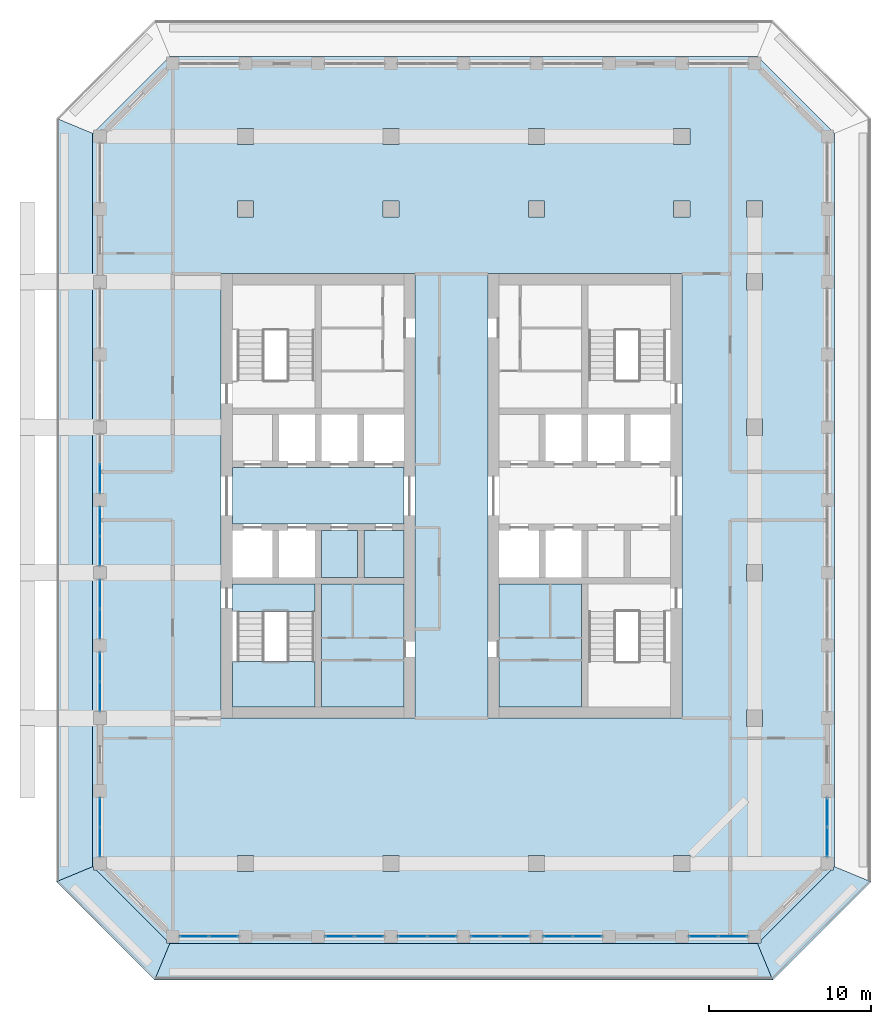
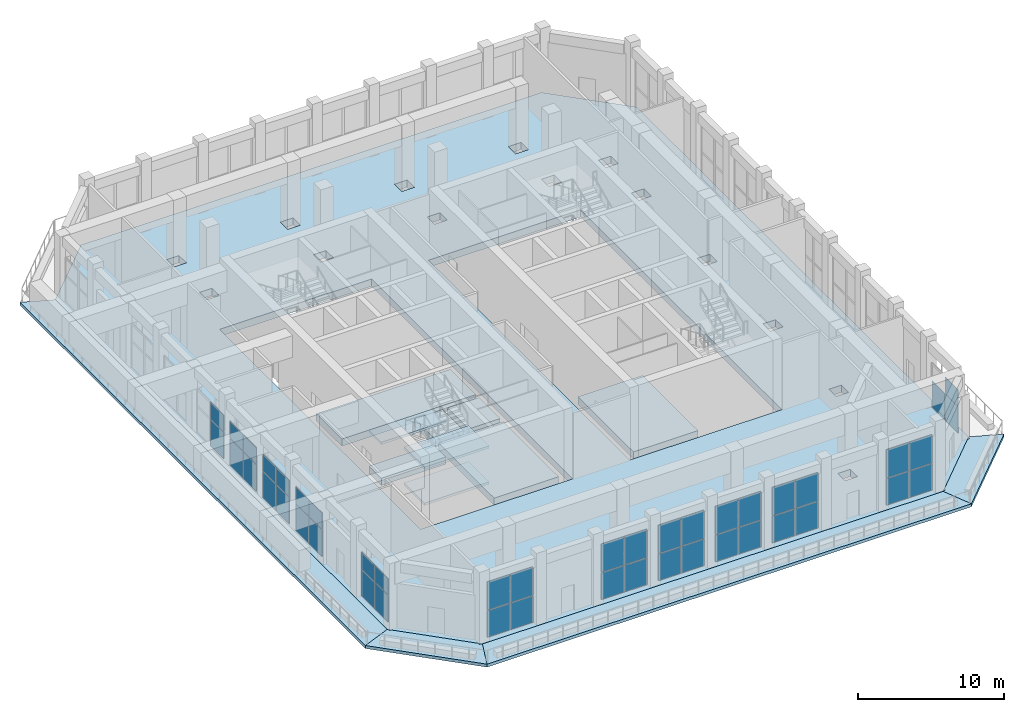
# One storey, part 9 of 25: 45 plates, 14 slabs, 13 elements without a shape of their own.
"""IFC4 building model written with IfcOpenShell, lengths in metres."""

from ifc_helpers import new_model, si_unit, direction, frame, origin, origin_2d, place, context, subcontext, project, spatial, polyline, rectangle, outline, extrude, material, layer, layer_set, type_object, element, aggregate, save


model = new_model("IFC4")

# Units and contexts
model_context = context("Model", 3, precision=1e-05, world=origin(), true_north=direction((0.0, 1.0)))
body_context = subcontext(model_context, "Body", "Model", "MODEL_VIEW")
ifc_project = project(units=[si_unit("LENGTHUNIT", "METRE"), si_unit("AREAUNIT", "SQUARE_METRE"), si_unit("VOLUMEUNIT", "CUBIC_METRE"), si_unit("PLANEANGLEUNIT", "RADIAN"), si_unit("MASSUNIT", "GRAM", prefix="KILO")], contexts=[model_context])

# Site, building, storey
site_placement = place(None, origin())
site = spatial("IfcSite", under=ifc_project, at=site_placement, CompositionType="ELEMENT")
building_placement = place(site_placement, origin())
building = spatial("IfcBuilding", under=site, at=building_placement, Name="Corbel Stack Research Tower", CompositionType="ELEMENT")
storey_placement = place(building_placement, frame((0.0, 0.0, 260.300048828125)))
storey = spatial("IfcBuildingStorey", under=building, at=storey_placement, Name="L59", CompositionType="ELEMENT", Elevation=260.300048828125)

# Curtain wall, plates
ifc_material_1 = material(Name="Aluminium frame, clear glass", Category="aluminium")
curtain_wall_type = type_object("IfcCurtainWallType", Name="Upper amenity floor curtain wall CW3", PredefinedType="NOTDEFINED", material=ifc_material_1)
curtain_wall_1_placement = place(storey_placement, origin())
curtain_wall_1 = element("IfcCurtainWall", 1, at=curtain_wall_1_placement, inside=storey, type_object=curtain_wall_type, Name="Curtain wall CW3 L59 S01", PredefinedType="NOTDEFINED")
ifc_material_2 = material(Name="Low-emissivity glass", Category="glass")
ifc_layer_1 = layer(ifc_material_2, 0.035888671875)
ifc_layer_set_1 = layer_set([ifc_layer_1], Name="Low-emissivity glass")
plate_type = type_object("IfcPlateType", Name="Low-emissivity glazing 36", PredefinedType="CURTAIN_PANEL", material=ifc_layer_set_1)
plate_1_placement = place(storey_placement, frame((-12.159912109375, -22.5, 0.06005859375), z_axis=(0.0, 0.0, 1.0), x_axis=(1.0, 0.0, 0.0)))
plate_1 = element("IfcPlate", 2, at=plate_1_placement, type_object=plate_type, Name="CW3 panel 1.1", PredefinedType="CURTAIN_PANEL", context=body_context, shape_type="SweptSolid", body=[
    extrude(rectangle(XDim=1.760009765625, YDim=0.035888671875, at=origin_2d()), origin(), (0.0, 0.0, 1.0), 2.2099609375),
])
plate_2_placement = place(storey_placement, frame((-12.159912109375, -22.5, 2.330078125), z_axis=(0.0, 0.0, 1.0), x_axis=(1.0, 0.0, 0.0)))
plate_2 = element("IfcPlate", 3, at=plate_2_placement, type_object=plate_type, Name="CW3 panel 1.2", PredefinedType="CURTAIN_PANEL", context=body_context, shape_type="SweptSolid", body=[
    extrude(rectangle(XDim=1.760009765625, YDim=0.035888671875, at=origin_2d()), origin(), (0.0, 0.0, 1.0), 2.360107421875),
])
plate_3_placement = place(storey_placement, frame((-10.340087890625, -22.5, 0.06005859375), z_axis=(0.0, 0.0, 1.0), x_axis=(1.0, 0.0, 0.0)))
plate_3 = element("IfcPlate", 4, at=plate_3_placement, type_object=plate_type, Name="CW3 panel 2.1", PredefinedType="CURTAIN_PANEL", context=body_context, shape_type="SweptSolid", body=[
    extrude(rectangle(XDim=1.760009765625, YDim=0.035888671875, at=origin_2d()), origin(), (0.0, 0.0, 1.0), 2.2099609375),
])
plate_4_placement = place(storey_placement, frame((-10.340087890625, -22.5, 2.330078125), z_axis=(0.0, 0.0, 1.0), x_axis=(1.0, 0.0, 0.0)))
plate_4 = element("IfcPlate", 5, at=plate_4_placement, type_object=plate_type, Name="CW3 panel 2.2", PredefinedType="CURTAIN_PANEL", context=body_context, shape_type="SweptSolid", body=[
    extrude(rectangle(XDim=1.760009765625, YDim=0.035888671875, at=origin_2d()), origin(), (0.0, 0.0, 1.0), 2.360107421875),
])
aggregate(curtain_wall_1, [plate_1, plate_2, plate_3, plate_4])

curtain_wall_2_placement = place(storey_placement, origin())
curtain_wall_2 = element("IfcCurtainWall", 6, at=curtain_wall_2_placement, inside=storey, type_object=curtain_wall_type, Name="Curtain wall CW3 L59 S03", PredefinedType="NOTDEFINED")
plate_5_placement = place(storey_placement, frame((-3.159912109375, -22.5, 0.06005859375), z_axis=(0.0, 0.0, 1.0), x_axis=(1.0, 0.0, 0.0)))
plate_5 = element("IfcPlate", 7, at=plate_5_placement, type_object=plate_type, Name="CW3 panel 1.1", PredefinedType="CURTAIN_PANEL", context=body_context, shape_type="SweptSolid", body=[
    extrude(rectangle(XDim=1.760009765625, YDim=0.035888671875, at=origin_2d()), origin(), (0.0, 0.0, 1.0), 2.2099609375),
])
plate_6_placement = place(storey_placement, frame((-3.159912109375, -22.5, 2.330078125), z_axis=(0.0, 0.0, 1.0), x_axis=(1.0, 0.0, 0.0)))
plate_6 = element("IfcPlate", 8, at=plate_6_placement, type_object=plate_type, Name="CW3 panel 1.2", PredefinedType="CURTAIN_PANEL", context=body_context, shape_type="SweptSolid", body=[
    extrude(rectangle(XDim=1.760009765625, YDim=0.035888671875, at=origin_2d()), origin(), (0.0, 0.0, 1.0), 2.360107421875),
])
plate_7_placement = place(storey_placement, frame((-1.340087890625, -22.5, 0.06005859375), z_axis=(0.0, 0.0, 1.0), x_axis=(1.0, 0.0, 0.0)))
plate_7 = element("IfcPlate", 9, at=plate_7_placement, type_object=plate_type, Name="CW3 panel 2.1", PredefinedType="CURTAIN_PANEL", context=body_context, shape_type="SweptSolid", body=[
    extrude(rectangle(XDim=1.760009765625, YDim=0.035888671875, at=origin_2d()), origin(), (0.0, 0.0, 1.0), 2.2099609375),
])
plate_8_placement = place(storey_placement, frame((-1.340087890625, -22.5, 2.330078125), z_axis=(0.0, 0.0, 1.0), x_axis=(1.0, 0.0, 0.0)))
plate_8 = element("IfcPlate", 10, at=plate_8_placement, type_object=plate_type, Name="CW3 panel 2.2", PredefinedType="CURTAIN_PANEL", context=body_context, shape_type="SweptSolid", body=[
    extrude(rectangle(XDim=1.760009765625, YDim=0.035888671875, at=origin_2d()), origin(), (0.0, 0.0, 1.0), 2.360107421875),
])
aggregate(curtain_wall_2, [plate_5, plate_6, plate_7, plate_8])

curtain_wall_3_placement = place(storey_placement, origin())
curtain_wall_3 = element("IfcCurtainWall", 11, at=curtain_wall_3_placement, inside=storey, type_object=curtain_wall_type, Name="Curtain wall CW3 L59 S04", PredefinedType="NOTDEFINED")
plate_9_placement = place(storey_placement, frame((1.340087890625, -22.5, 0.06005859375), z_axis=(0.0, 0.0, 1.0), x_axis=(1.0, 0.0, 0.0)))
plate_9 = element("IfcPlate", 12, at=plate_9_placement, type_object=plate_type, Name="CW3 panel 1.1", PredefinedType="CURTAIN_PANEL", context=body_context, shape_type="SweptSolid", body=[
    extrude(rectangle(XDim=1.760009765625, YDim=0.035888671875, at=origin_2d()), origin(), (0.0, 0.0, 1.0), 2.2099609375),
])
plate_10_placement = place(storey_placement, frame((1.340087890625, -22.5, 2.330078125), z_axis=(0.0, 0.0, 1.0), x_axis=(1.0, 0.0, 0.0)))
plate_10 = element("IfcPlate", 13, at=plate_10_placement, type_object=plate_type, Name="CW3 panel 1.2", PredefinedType="CURTAIN_PANEL", context=body_context, shape_type="SweptSolid", body=[
    extrude(rectangle(XDim=1.760009765625, YDim=0.035888671875, at=origin_2d()), origin(), (0.0, 0.0, 1.0), 2.360107421875),
])
plate_11_placement = place(storey_placement, frame((3.159912109375, -22.5, 0.06005859375), z_axis=(0.0, 0.0, 1.0), x_axis=(1.0, 0.0, 0.0)))
plate_11 = element("IfcPlate", 14, at=plate_11_placement, type_object=plate_type, Name="CW3 panel 2.1", PredefinedType="CURTAIN_PANEL", context=body_context, shape_type="SweptSolid", body=[
    extrude(rectangle(XDim=1.760009765625, YDim=0.035888671875, at=origin_2d()), origin(), (0.0, 0.0, 1.0), 2.2099609375),
])
plate_12_placement = place(storey_placement, frame((3.159912109375, -22.5, 2.330078125), z_axis=(0.0, 0.0, 1.0), x_axis=(1.0, 0.0, 0.0)))
plate_12 = element("IfcPlate", 15, at=plate_12_placement, type_object=plate_type, Name="CW3 panel 2.2", PredefinedType="CURTAIN_PANEL", context=body_context, shape_type="SweptSolid", body=[
    extrude(rectangle(XDim=1.760009765625, YDim=0.035888671875, at=origin_2d()), origin(), (0.0, 0.0, 1.0), 2.360107421875),
])
aggregate(curtain_wall_3, [plate_9, plate_10, plate_11, plate_12])

curtain_wall_4_placement = place(storey_placement, origin())
curtain_wall_4 = element("IfcCurtainWall", 16, at=curtain_wall_4_placement, inside=storey, type_object=curtain_wall_type, Name="Curtain wall CW3 L59 S05", PredefinedType="NOTDEFINED")
plate_13_placement = place(storey_placement, frame((5.840087890625, -22.5, 0.06005859375), z_axis=(0.0, 0.0, 1.0), x_axis=(1.0, 0.0, 0.0)))
plate_13 = element("IfcPlate", 17, at=plate_13_placement, type_object=plate_type, Name="CW3 panel 1.1", PredefinedType="CURTAIN_PANEL", context=body_context, shape_type="SweptSolid", body=[
    extrude(rectangle(XDim=1.760009765625, YDim=0.035888671875, at=origin_2d()), origin(), (0.0, 0.0, 1.0), 2.2099609375),
])
plate_14_placement = place(storey_placement, frame((5.840087890625, -22.5, 2.330078125), z_axis=(0.0, 0.0, 1.0), x_axis=(1.0, 0.0, 0.0)))
plate_14 = element("IfcPlate", 18, at=plate_14_placement, type_object=plate_type, Name="CW3 panel 1.2", PredefinedType="CURTAIN_PANEL", context=body_context, shape_type="SweptSolid", body=[
    extrude(rectangle(XDim=1.760009765625, YDim=0.035888671875, at=origin_2d()), origin(), (0.0, 0.0, 1.0), 2.360107421875),
])
plate_15_placement = place(storey_placement, frame((7.659912109375, -22.5, 0.06005859375), z_axis=(0.0, 0.0, 1.0), x_axis=(1.0, 0.0, 0.0)))
plate_15 = element("IfcPlate", 19, at=plate_15_placement, type_object=plate_type, Name="CW3 panel 2.1", PredefinedType="CURTAIN_PANEL", context=body_context, shape_type="SweptSolid", body=[
    extrude(rectangle(XDim=1.760009765625, YDim=0.035888671875, at=origin_2d()), origin(), (0.0, 0.0, 1.0), 2.2099609375),
])
plate_16_placement = place(storey_placement, frame((7.659912109375, -22.5, 2.330078125), z_axis=(0.0, 0.0, 1.0), x_axis=(1.0, 0.0, 0.0)))
plate_16 = element("IfcPlate", 20, at=plate_16_placement, type_object=plate_type, Name="CW3 panel 2.2", PredefinedType="CURTAIN_PANEL", context=body_context, shape_type="SweptSolid", body=[
    extrude(rectangle(XDim=1.760009765625, YDim=0.035888671875, at=origin_2d()), origin(), (0.0, 0.0, 1.0), 2.360107421875),
])
aggregate(curtain_wall_4, [plate_13, plate_14, plate_15, plate_16])

curtain_wall_5_placement = place(storey_placement, origin())
curtain_wall_5 = element("IfcCurtainWall", 21, at=curtain_wall_5_placement, inside=storey, type_object=curtain_wall_type, Name="Curtain wall CW3 L59 S06", PredefinedType="NOTDEFINED")
plate_17_placement = place(storey_placement, frame((10.340087890625, -22.5, 0.06005859375), z_axis=(0.0, 0.0, 1.0), x_axis=(1.0, 0.0, 0.0)))
plate_17 = element("IfcPlate", 22, at=plate_17_placement, type_object=plate_type, Name="CW3 panel 1.1", PredefinedType="CURTAIN_PANEL", context=body_context, shape_type="SweptSolid", body=[
    extrude(rectangle(XDim=1.760009765625, YDim=0.035888671875, at=origin_2d()), origin(), (0.0, 0.0, 1.0), 2.2099609375),
])
plate_18_placement = place(storey_placement, frame((10.340087890625, -22.5, 2.330078125), z_axis=(0.0, 0.0, 1.0), x_axis=(1.0, 0.0, 0.0)))
plate_18 = element("IfcPlate", 23, at=plate_18_placement, type_object=plate_type, Name="CW3 panel 1.2", PredefinedType="CURTAIN_PANEL", context=body_context, shape_type="SweptSolid", body=[
    extrude(rectangle(XDim=1.760009765625, YDim=0.035888671875, at=origin_2d()), origin(), (0.0, 0.0, 1.0), 2.360107421875),
])
plate_19_placement = place(storey_placement, frame((12.159912109375, -22.5, 0.06005859375), z_axis=(0.0, 0.0, 1.0), x_axis=(1.0, 0.0, 0.0)))
plate_19 = element("IfcPlate", 24, at=plate_19_placement, type_object=plate_type, Name="CW3 panel 2.1", PredefinedType="CURTAIN_PANEL", context=body_context, shape_type="SweptSolid", body=[
    extrude(rectangle(XDim=1.760009765625, YDim=0.035888671875, at=origin_2d()), origin(), (0.0, 0.0, 1.0), 2.2099609375),
])
plate_20_placement = place(storey_placement, frame((12.159912109375, -22.5, 2.330078125), z_axis=(0.0, 0.0, 1.0), x_axis=(1.0, 0.0, 0.0)))
plate_20 = element("IfcPlate", 25, at=plate_20_placement, type_object=plate_type, Name="CW3 panel 2.2", PredefinedType="CURTAIN_PANEL", context=body_context, shape_type="SweptSolid", body=[
    extrude(rectangle(XDim=1.760009765625, YDim=0.035888671875, at=origin_2d()), origin(), (0.0, 0.0, 1.0), 2.360107421875),
])
aggregate(curtain_wall_5, [plate_17, plate_18, plate_19, plate_20])

curtain_wall_6_placement = place(storey_placement, origin())
curtain_wall_6 = element("IfcCurtainWall", 26, at=curtain_wall_6_placement, inside=storey, type_object=curtain_wall_type, Name="Curtain wall CW3 L59 S08", PredefinedType="NOTDEFINED")
plate_21_placement = place(storey_placement, frame((19.340087890625, -22.5, 0.06005859375), z_axis=(0.0, 0.0, 1.0), x_axis=(1.0, 0.0, 0.0)))
plate_21 = element("IfcPlate", 27, at=plate_21_placement, type_object=plate_type, Name="CW3 panel 1.1", PredefinedType="CURTAIN_PANEL", context=body_context, shape_type="SweptSolid", body=[
    extrude(rectangle(XDim=1.760009765625, YDim=0.035888671875, at=origin_2d()), origin(), (0.0, 0.0, 1.0), 2.2099609375),
])
plate_22_placement = place(storey_placement, frame((19.340087890625, -22.5, 2.330078125), z_axis=(0.0, 0.0, 1.0), x_axis=(1.0, 0.0, 0.0)))
plate_22 = element("IfcPlate", 28, at=plate_22_placement, type_object=plate_type, Name="CW3 panel 1.2", PredefinedType="CURTAIN_PANEL", context=body_context, shape_type="SweptSolid", body=[
    extrude(rectangle(XDim=1.760009765625, YDim=0.035888671875, at=origin_2d()), origin(), (0.0, 0.0, 1.0), 2.360107421875),
])
plate_23_placement = place(storey_placement, frame((21.159912109375, -22.5, 0.06005859375), z_axis=(0.0, 0.0, 1.0), x_axis=(1.0, 0.0, 0.0)))
plate_23 = element("IfcPlate", 29, at=plate_23_placement, type_object=plate_type, Name="CW3 panel 2.1", PredefinedType="CURTAIN_PANEL", context=body_context, shape_type="SweptSolid", body=[
    extrude(rectangle(XDim=1.760009765625, YDim=0.035888671875, at=origin_2d()), origin(), (0.0, 0.0, 1.0), 2.2099609375),
])
plate_24_placement = place(storey_placement, frame((21.159912109375, -22.5, 2.330078125), z_axis=(0.0, 0.0, 1.0), x_axis=(1.0, 0.0, 0.0)))
plate_24 = element("IfcPlate", 30, at=plate_24_placement, type_object=plate_type, Name="CW3 panel 2.2", PredefinedType="CURTAIN_PANEL", context=body_context, shape_type="SweptSolid", body=[
    extrude(rectangle(XDim=1.760009765625, YDim=0.035888671875, at=origin_2d()), origin(), (0.0, 0.0, 1.0), 2.360107421875),
])
aggregate(curtain_wall_6, [plate_21, plate_22, plate_23, plate_24])

curtain_wall_7_placement = place(storey_placement, origin())
curtain_wall_7 = element("IfcCurtainWall", 31, at=curtain_wall_7_placement, inside=storey, type_object=curtain_wall_type, Name="Curtain wall CW3 L59 E01", PredefinedType="NOTDEFINED")
plate_25_placement = place(storey_placement, frame((27.0, -16.659912109375, 0.06005859375), z_axis=(0.0, 0.0, 1.0), x_axis=(0.0, 1.0, 0.0)))
plate_25 = element("IfcPlate", 32, at=plate_25_placement, type_object=plate_type, Name="CW3 panel 1.1", PredefinedType="CURTAIN_PANEL", context=body_context, shape_type="SweptSolid", body=[
    extrude(rectangle(XDim=1.760009765625, YDim=0.035888671875, at=origin_2d()), origin(), (0.0, 0.0, 1.0), 2.2099609375),
])
plate_26_placement = place(storey_placement, frame((27.0, -16.659912109375, 2.330078125), z_axis=(0.0, 0.0, 1.0), x_axis=(0.0, 1.0, 0.0)))
plate_26 = element("IfcPlate", 33, at=plate_26_placement, type_object=plate_type, Name="CW3 panel 1.2", PredefinedType="CURTAIN_PANEL", context=body_context, shape_type="SweptSolid", body=[
    extrude(rectangle(XDim=1.760009765625, YDim=0.035888671875, at=origin_2d()), origin(), (0.0, 0.0, 1.0), 1.360107421875),
])
plate_27_placement = place(storey_placement, frame((27.0, -14.840087890625, 0.06005859375), z_axis=(0.0, 0.0, 1.0), x_axis=(0.0, 1.0, 0.0)))
plate_27 = element("IfcPlate", 34, at=plate_27_placement, type_object=plate_type, Name="CW3 panel 2.1", PredefinedType="CURTAIN_PANEL", context=body_context, shape_type="SweptSolid", body=[
    extrude(rectangle(XDim=1.760009765625, YDim=0.035888671875, at=origin_2d()), origin(), (0.0, 0.0, 1.0), 2.2099609375),
])
aggregate(curtain_wall_7, [plate_25, plate_26, plate_27])

curtain_wall_8_placement = place(storey_placement, origin())
curtain_wall_8 = element("IfcCurtainWall", 35, at=curtain_wall_8_placement, inside=storey, type_object=curtain_wall_type, Name="Curtain wall CW3 L59 W05", PredefinedType="NOTDEFINED")
plate_28_placement = place(storey_placement, frame((-18.0, 5.840087890625, 0.06005859375), z_axis=(0.0, 0.0, 1.0), x_axis=(0.0, -1.0, 0.0)))
plate_28 = element("IfcPlate", 36, at=plate_28_placement, type_object=plate_type, Name="CW3 panel 2.1", PredefinedType="CURTAIN_PANEL", context=body_context, shape_type="SweptSolid", body=[
    extrude(rectangle(XDim=1.760009765625, YDim=0.035888671875, at=origin_2d()), origin(), (0.0, 0.0, 1.0), 2.2099609375),
])
plate_29_placement = place(storey_placement, frame((-18.0, 5.840087890625, 2.330078125), z_axis=(0.0, 0.0, 1.0), x_axis=(0.0, -1.0, 0.0)))
plate_29 = element("IfcPlate", 37, at=plate_29_placement, type_object=plate_type, Name="CW3 panel 2.2", PredefinedType="CURTAIN_PANEL", context=body_context, shape_type="SweptSolid", body=[
    extrude(rectangle(XDim=1.760009765625, YDim=0.035888671875, at=origin_2d()), origin(), (0.0, 0.0, 1.0), 1.360107421875),
])
aggregate(curtain_wall_8, [plate_28, plate_29])

curtain_wall_9_placement = place(storey_placement, origin())
curtain_wall_9 = element("IfcCurtainWall", 38, at=curtain_wall_9_placement, inside=storey, type_object=curtain_wall_type, Name="Curtain wall CW3 L59 W06", PredefinedType="NOTDEFINED")
plate_30_placement = place(storey_placement, frame((-18.0, 3.159912109375, 0.06005859375), z_axis=(0.0, 0.0, 1.0), x_axis=(0.0, -1.0, 0.0)))
plate_30 = element("IfcPlate", 39, at=plate_30_placement, type_object=plate_type, Name="CW3 panel 1.1", PredefinedType="CURTAIN_PANEL", context=body_context, shape_type="SweptSolid", body=[
    extrude(rectangle(XDim=1.760009765625, YDim=0.035888671875, at=origin_2d()), origin(), (0.0, 0.0, 1.0), 2.2099609375),
])
plate_31_placement = place(storey_placement, frame((-18.0, 3.159912109375, 2.330078125), z_axis=(0.0, 0.0, 1.0), x_axis=(0.0, -1.0, 0.0)))
plate_31 = element("IfcPlate", 40, at=plate_31_placement, type_object=plate_type, Name="CW3 panel 1.2", PredefinedType="CURTAIN_PANEL", context=body_context, shape_type="SweptSolid", body=[
    extrude(rectangle(XDim=1.760009765625, YDim=0.035888671875, at=origin_2d()), origin(), (0.0, 0.0, 1.0), 1.360107421875),
])
plate_32_placement = place(storey_placement, frame((-18.0, 1.340087890625, 0.06005859375), z_axis=(0.0, 0.0, 1.0), x_axis=(0.0, -1.0, 0.0)))
plate_32 = element("IfcPlate", 41, at=plate_32_placement, type_object=plate_type, Name="CW3 panel 2.1", PredefinedType="CURTAIN_PANEL", context=body_context, shape_type="SweptSolid", body=[
    extrude(rectangle(XDim=1.760009765625, YDim=0.035888671875, at=origin_2d()), origin(), (0.0, 0.0, 1.0), 2.2099609375),
])
plate_33_placement = place(storey_placement, frame((-18.0, 1.340087890625, 2.330078125), z_axis=(0.0, 0.0, 1.0), x_axis=(0.0, -1.0, 0.0)))
plate_33 = element("IfcPlate", 42, at=plate_33_placement, type_object=plate_type, Name="CW3 panel 2.2", PredefinedType="CURTAIN_PANEL", context=body_context, shape_type="SweptSolid", body=[
    extrude(rectangle(XDim=1.760009765625, YDim=0.035888671875, at=origin_2d()), origin(), (0.0, 0.0, 1.0), 1.360107421875),
])
aggregate(curtain_wall_9, [plate_30, plate_31, plate_32, plate_33])

curtain_wall_10_placement = place(storey_placement, origin())
curtain_wall_10 = element("IfcCurtainWall", 43, at=curtain_wall_10_placement, inside=storey, type_object=curtain_wall_type, Name="Curtain wall CW3 L59 W07", PredefinedType="NOTDEFINED")
plate_34_placement = place(storey_placement, frame((-18.0, -1.340087890625, 0.06005859375), z_axis=(0.0, 0.0, 1.0), x_axis=(0.0, -1.0, 0.0)))
plate_34 = element("IfcPlate", 44, at=plate_34_placement, type_object=plate_type, Name="CW3 panel 1.1", PredefinedType="CURTAIN_PANEL", context=body_context, shape_type="SweptSolid", body=[
    extrude(rectangle(XDim=1.760009765625, YDim=0.035888671875, at=origin_2d()), origin(), (0.0, 0.0, 1.0), 2.2099609375),
])
plate_35_placement = place(storey_placement, frame((-18.0, -1.340087890625, 2.330078125), z_axis=(0.0, 0.0, 1.0), x_axis=(0.0, -1.0, 0.0)))
plate_35 = element("IfcPlate", 45, at=plate_35_placement, type_object=plate_type, Name="CW3 panel 1.2", PredefinedType="CURTAIN_PANEL", context=body_context, shape_type="SweptSolid", body=[
    extrude(rectangle(XDim=1.760009765625, YDim=0.035888671875, at=origin_2d()), origin(), (0.0, 0.0, 1.0), 1.360107421875),
])
plate_36_placement = place(storey_placement, frame((-18.0, -3.159912109375, 0.06005859375), z_axis=(0.0, 0.0, 1.0), x_axis=(0.0, -1.0, 0.0)))
plate_36 = element("IfcPlate", 46, at=plate_36_placement, type_object=plate_type, Name="CW3 panel 2.1", PredefinedType="CURTAIN_PANEL", context=body_context, shape_type="SweptSolid", body=[
    extrude(rectangle(XDim=1.760009765625, YDim=0.035888671875, at=origin_2d()), origin(), (0.0, 0.0, 1.0), 2.2099609375),
])
plate_37_placement = place(storey_placement, frame((-18.0, -3.159912109375, 2.330078125), z_axis=(0.0, 0.0, 1.0), x_axis=(0.0, -1.0, 0.0)))
plate_37 = element("IfcPlate", 47, at=plate_37_placement, type_object=plate_type, Name="CW3 panel 2.2", PredefinedType="CURTAIN_PANEL", context=body_context, shape_type="SweptSolid", body=[
    extrude(rectangle(XDim=1.760009765625, YDim=0.035888671875, at=origin_2d()), origin(), (0.0, 0.0, 1.0), 1.360107421875),
])
aggregate(curtain_wall_10, [plate_34, plate_35, plate_36, plate_37])

curtain_wall_11_placement = place(storey_placement, origin())
curtain_wall_11 = element("IfcCurtainWall", 48, at=curtain_wall_11_placement, inside=storey, type_object=curtain_wall_type, Name="Curtain wall CW3 L59 W08", PredefinedType="NOTDEFINED")
plate_38_placement = place(storey_placement, frame((-18.0, -5.840087890625, 0.06005859375), z_axis=(0.0, 0.0, 1.0), x_axis=(0.0, -1.0, 0.0)))
plate_38 = element("IfcPlate", 49, at=plate_38_placement, type_object=plate_type, Name="CW3 panel 1.1", PredefinedType="CURTAIN_PANEL", context=body_context, shape_type="SweptSolid", body=[
    extrude(rectangle(XDim=1.760009765625, YDim=0.035888671875, at=origin_2d()), origin(), (0.0, 0.0, 1.0), 2.2099609375),
])
plate_39_placement = place(storey_placement, frame((-18.0, -5.840087890625, 2.330078125), z_axis=(0.0, 0.0, 1.0), x_axis=(0.0, -1.0, 0.0)))
plate_39 = element("IfcPlate", 50, at=plate_39_placement, type_object=plate_type, Name="CW3 panel 1.2", PredefinedType="CURTAIN_PANEL", context=body_context, shape_type="SweptSolid", body=[
    extrude(rectangle(XDim=1.760009765625, YDim=0.035888671875, at=origin_2d()), origin(), (0.0, 0.0, 1.0), 1.360107421875),
])
plate_40_placement = place(storey_placement, frame((-18.0, -7.659912109375, 0.06005859375), z_axis=(0.0, 0.0, 1.0), x_axis=(0.0, -1.0, 0.0)))
plate_40 = element("IfcPlate", 51, at=plate_40_placement, type_object=plate_type, Name="CW3 panel 2.1", PredefinedType="CURTAIN_PANEL", context=body_context, shape_type="SweptSolid", body=[
    extrude(rectangle(XDim=1.760009765625, YDim=0.035888671875, at=origin_2d()), origin(), (0.0, 0.0, 1.0), 2.2099609375),
])
plate_41_placement = place(storey_placement, frame((-18.0, -7.659912109375, 2.330078125), z_axis=(0.0, 0.0, 1.0), x_axis=(0.0, -1.0, 0.0)))
plate_41 = element("IfcPlate", 52, at=plate_41_placement, type_object=plate_type, Name="CW3 panel 2.2", PredefinedType="CURTAIN_PANEL", context=body_context, shape_type="SweptSolid", body=[
    extrude(rectangle(XDim=1.760009765625, YDim=0.035888671875, at=origin_2d()), origin(), (0.0, 0.0, 1.0), 1.360107421875),
])
aggregate(curtain_wall_11, [plate_38, plate_39, plate_40, plate_41])

curtain_wall_12_placement = place(storey_placement, origin())
curtain_wall_12 = element("IfcCurtainWall", 53, at=curtain_wall_12_placement, inside=storey, type_object=curtain_wall_type, Name="Curtain wall CW3 L59 W10", PredefinedType="NOTDEFINED")
plate_42_placement = place(storey_placement, frame((-18.0, -14.840087890625, 0.06005859375), z_axis=(0.0, 0.0, 1.0), x_axis=(0.0, -1.0, 0.0)))
plate_42 = element("IfcPlate", 54, at=plate_42_placement, type_object=plate_type, Name="CW3 panel 1.1", PredefinedType="CURTAIN_PANEL", context=body_context, shape_type="SweptSolid", body=[
    extrude(rectangle(XDim=1.760009765625, YDim=0.035888671875, at=origin_2d()), origin(), (0.0, 0.0, 1.0), 2.2099609375),
])
plate_43_placement = place(storey_placement, frame((-18.0, -14.840087890625, 2.330078125), z_axis=(0.0, 0.0, 1.0), x_axis=(0.0, -1.0, 0.0)))
plate_43 = element("IfcPlate", 55, at=plate_43_placement, type_object=plate_type, Name="CW3 panel 1.2", PredefinedType="CURTAIN_PANEL", context=body_context, shape_type="SweptSolid", body=[
    extrude(rectangle(XDim=1.760009765625, YDim=0.035888671875, at=origin_2d()), origin(), (0.0, 0.0, 1.0), 1.360107421875),
])
plate_44_placement = place(storey_placement, frame((-18.0, -16.659912109375, 0.06005859375), z_axis=(0.0, 0.0, 1.0), x_axis=(0.0, -1.0, 0.0)))
plate_44 = element("IfcPlate", 56, at=plate_44_placement, type_object=plate_type, Name="CW3 panel 2.1", PredefinedType="CURTAIN_PANEL", context=body_context, shape_type="SweptSolid", body=[
    extrude(rectangle(XDim=1.760009765625, YDim=0.035888671875, at=origin_2d()), origin(), (0.0, 0.0, 1.0), 2.2099609375),
])
plate_45_placement = place(storey_placement, frame((-18.0, -16.659912109375, 2.330078125), z_axis=(0.0, 0.0, 1.0), x_axis=(0.0, -1.0, 0.0)))
plate_45 = element("IfcPlate", 57, at=plate_45_placement, type_object=plate_type, Name="CW3 panel 2.2", PredefinedType="CURTAIN_PANEL", context=body_context, shape_type="SweptSolid", body=[
    extrude(rectangle(XDim=1.760009765625, YDim=0.035888671875, at=origin_2d()), origin(), (0.0, 0.0, 1.0), 1.360107421875),
])
aggregate(curtain_wall_12, [plate_42, plate_43, plate_44, plate_45])

# Slabs
ifc_material_3 = material(Name="Concrete C45/55", Category="concrete")
ifc_layer_2 = layer(ifc_material_3, 0.25)
ifc_layer_set_2 = layer_set([ifc_layer_2], Name="Concrete C45/55")
slab_type_1 = type_object("IfcSlabType", Name="PT balcony slab 250 C45/55", PredefinedType="FLOOR", material=ifc_layer_set_2)
slab_1_placement = place(storey_placement, frame((0.0, 0.0, -0.25)))
element("IfcSlab", 58, at=slab_1_placement, inside=storey, type_object=slab_type_1, Name="Loggia slab L59 S", PredefinedType="FLOOR", context=body_context, shape_type="SweptSolid", body=[
    extrude(outline(polyline([(22.686279296875, -22.949951171875), (-13.686279296875, -22.949951171875), (-14.618408203125, -25.199951171875), (23.618408203125, -25.199951171875), (22.686279296875, -22.949951171875)])), origin(), (0.0, 0.0, 1.0), 0.25),
])
slab_2_placement = place(storey_placement, frame((0.0, 0.0, -0.25)))
element("IfcSlab", 59, at=slab_2_placement, inside=storey, type_object=slab_type_1, Name="Loggia slab L59 SE", PredefinedType="FLOOR", context=body_context, shape_type="SweptSolid", body=[
    extrude(outline(polyline([(27.449951171875, -18.186279296875), (27.39990234375, -18.236328125), (27.39990234375, -18.39990234375), (27.236328125, -18.39990234375), (22.89990234375, -22.736328125), (22.89990234375, -22.89990234375), (22.736328125, -22.89990234375), (22.686279296875, -22.949951171875), (23.618408203125, -25.199951171875), (29.699951171875, -19.118408203125), (27.449951171875, -18.186279296875)])), origin(), (0.0, 0.0, 1.0), 0.25),
])
slab_3_placement = place(storey_placement, frame((0.0, 0.0, -0.25)))
element("IfcSlab", 60, at=slab_3_placement, inside=storey, type_object=slab_type_1, Name="Loggia slab L59 W", PredefinedType="FLOOR", context=body_context, shape_type="SweptSolid", body=[
    extrude(outline(polyline([(-18.449951171875, -18.186279296875), (-18.449951171875, 27.186279296875), (-20.699951171875, 28.118408203125), (-20.699951171875, -19.118408203125), (-18.449951171875, -18.186279296875)])), origin(), (0.0, 0.0, 1.0), 0.25),
])
slab_4_placement = place(storey_placement, frame((0.0, 0.0, -0.25)))
element("IfcSlab", 61, at=slab_4_placement, inside=storey, type_object=slab_type_1, Name="Loggia slab L59 SW", PredefinedType="FLOOR", context=body_context, shape_type="SweptSolid", body=[
    extrude(outline(polyline([(-13.686279296875, -22.949951171875), (-13.736328125, -22.89990234375), (-13.89990234375, -22.89990234375), (-13.89990234375, -22.736328125), (-18.236328125, -18.39990234375), (-18.39990234375, -18.39990234375), (-18.39990234375, -18.236328125), (-18.449951171875, -18.186279296875), (-20.699951171875, -19.118408203125), (-14.618408203125, -25.199951171875), (-13.686279296875, -22.949951171875)])), origin(), (0.0, 0.0, 1.0), 0.25),
])
ifc_material_4 = material(Name="Concrete C45/55", Category="concrete")
ifc_layer_3 = layer(ifc_material_4, 0.60009765625)
ifc_layer_set_3 = layer_set([ifc_layer_3], Name="Concrete C45/55")
slab_type_2 = type_object("IfcSlabType", Name="PT-600", PredefinedType="FLOOR", material=ifc_layer_set_3)
slab_5_placement = place(storey_placement, frame((0.0, 0.0, -0.60009765625)))
element("IfcSlab", 62, at=slab_5_placement, inside=storey, type_object=slab_type_2, Name="Floor slab L59", PredefinedType="FLOOR", context=body_context, shape_type="SweptSolid", body=[
    extrude(outline(polyline([(-13.686279296875, -22.949951171875), (22.686279296875, -22.949951171875), (27.449951171875, -18.186279296875), (27.449951171875, 27.186279296875), (22.686279296875, 31.949951171875), (-13.686279296875, 31.949951171875), (-18.449951171875, 27.186279296875), (-18.449951171875, -18.186279296875), (-13.686279296875, -22.949951171875)]), holes=[polyline([(22.0, 22.0), (22.0, 23.0), (23.0, 23.0), (23.0, 22.0), (22.0, 22.0)]), polyline([(23.0, 17.5), (22.0, 17.5), (22.0, 18.5), (23.0, 18.5), (23.0, 17.5)]), polyline([(23.0, 8.5), (22.0, 8.5), (22.0, 9.5), (23.0, 9.5), (23.0, 8.5)]), polyline([(22.0, -0.5), (22.0, 0.5), (23.0, 0.5), (23.0, -0.5), (22.0, -0.5)]), polyline([(23.0, -9.5), (22.0, -9.5), (22.0, -8.5), (23.0, -8.5), (23.0, -9.5)]), polyline([(17.5, 26.5), (17.5, 27.5), (18.5, 27.5), (18.5, 26.5), (17.5, 26.5)]), polyline([(18.5, 22.0), (17.5, 22.0), (17.5, 23.0), (18.5, 23.0), (18.5, 22.0)]), polyline([(18.5, -18.5), (17.5, -18.5), (17.5, -17.5), (18.5, -17.5), (18.5, -18.5)]), polyline([(6.0, -9.0), (6.0, 18.5), (18.0, 18.5), (18.0, -9.0), (6.0, -9.0)]), polyline([(9.5, 26.5), (8.5, 26.5), (8.5, 27.5), (9.5, 27.5), (9.5, 26.5)]), polyline([(9.5, 22.0), (8.5, 22.0), (8.5, 23.0), (9.5, 23.0), (9.5, 22.0)]), polyline([(9.5, -18.5), (8.5, -18.5), (8.5, -17.5), (9.5, -17.5), (9.5, -18.5)]), polyline([(1.5, -9.0), (-10.5, -9.0), (-10.5, 18.5), (1.5, 18.5), (1.5, -9.0)]), polyline([(-0.5, 26.5), (-0.5, 27.5), (0.5, 27.5), (0.5, 26.5), (-0.5, 26.5)]), polyline([(0.5, 22.0), (-0.5, 22.0), (-0.5, 23.0), (0.5, 23.0), (0.5, 22.0)]), polyline([(0.5, -18.5), (-0.5, -18.5), (-0.5, -17.5), (0.5, -17.5), (0.5, -18.5)]), polyline([(-9.5, 26.5), (-9.5, 27.5), (-8.5, 27.5), (-8.5, 26.5), (-9.5, 26.5)]), polyline([(-8.5, 22.0), (-9.5, 22.0), (-9.5, 23.0), (-8.5, 23.0), (-8.5, 22.0)]), polyline([(-8.5, -18.5), (-9.5, -18.5), (-9.5, -17.5), (-8.5, -17.5), (-8.5, -18.5)])]), origin(), (0.0, 0.0, 1.0), 0.60009765625),
])
slab_6_placement = place(storey_placement, frame((0.0, 0.0, -0.60009765625)))
element("IfcSlab", 63, at=slab_6_placement, inside=storey, type_object=slab_type_2, Name="West core floor L59", PredefinedType="FLOOR", context=body_context, shape_type="SweptSolid", body=[
    extrude(outline(polyline([(-9.800048828125, 6.5), (-9.800048828125, 3.0), (0.800048828125, 3.0), (0.800048828125, 6.5), (-9.800048828125, 6.5)])), origin(), (0.0, 0.0, 1.0), 0.60009765625),
])
slab_7_placement = place(storey_placement, frame((0.0, 0.0, -0.60009765625)))
element("IfcSlab", 64, at=slab_7_placement, inside=storey, type_object=slab_type_2, Name="West core floor L59", PredefinedType="FLOOR", context=body_context, shape_type="SweptSolid", body=[
    extrude(outline(polyline([(-4.300048828125, -0.699951171875), (-4.300048828125, -8.300048828125), (0.800048828125, -8.300048828125), (0.800048828125, -0.699951171875), (-4.300048828125, -0.699951171875)])), origin(), (0.0, 0.0, 1.0), 0.60009765625),
])
slab_8_placement = place(storey_placement, frame((0.0, 0.0, -0.60009765625)))
element("IfcSlab", 65, at=slab_8_placement, inside=storey, type_object=slab_type_2, Name="West core floor L59", PredefinedType="FLOOR", context=body_context, shape_type="SweptSolid", body=[
    extrude(outline(polyline([(-4.300048828125, 2.60009765625), (-4.300048828125, -0.300048828125), (-2.074951171875, -0.300048828125), (-2.074951171875, 2.60009765625), (-4.300048828125, 2.60009765625)])), origin(), (0.0, 0.0, 1.0), 0.60009765625),
])
slab_9_placement = place(storey_placement, frame((0.0, 0.0, -0.60009765625)))
element("IfcSlab", 66, at=slab_9_placement, inside=storey, type_object=slab_type_2, Name="West core floor L59", PredefinedType="FLOOR", context=body_context, shape_type="SweptSolid", body=[
    extrude(outline(polyline([(-1.675048828125, 2.60009765625), (-1.675048828125, -0.300048828125), (0.800048828125, -0.300048828125), (0.800048828125, 2.60009765625), (-1.675048828125, 2.60009765625)])), origin(), (0.0, 0.0, 1.0), 0.60009765625),
])
slab_10_placement = place(storey_placement, frame((0.0, 0.0, -0.60009765625)))
element("IfcSlab", 67, at=slab_10_placement, inside=storey, type_object=slab_type_2, Name="East core floor L59", PredefinedType="FLOOR", context=body_context, shape_type="SweptSolid", body=[
    extrude(outline(polyline([(6.699951171875, -8.300048828125), (11.800048828125, -8.300048828125), (11.800048828125, -0.699951171875), (6.699951171875, -0.699951171875), (6.699951171875, -8.300048828125)])), origin(), (0.0, 0.0, 1.0), 0.60009765625),
])
slab_11_placement = place(storey_placement, frame((0.0, 0.0, -0.60009765625)))
element("IfcSlab", 68, at=slab_11_placement, inside=storey, type_object=slab_type_2, Name="Stair floor landing ST-W1", PredefinedType="FLOOR", context=body_context, shape_type="SweptSolid", body=[
    extrude(outline(polyline([(-9.800048828125, -2.39990234375), (-4.699951171875, -2.39990234375), (-4.699951171875, -0.699951171875), (-9.800048828125, -0.699951171875), (-9.800048828125, -2.39990234375)])), origin(), (0.0, 0.0, 1.0), 0.60009765625),
])

# Stair, slabs
ifc_material_5 = material(Name="Concrete C40/50", Category="concrete")
stair_type = type_object("IfcStairType", Name="Exit stair 36 risers, 388 going", PredefinedType="HALF_TURN_STAIR", material=ifc_material_5)
stair_placement = place(storey_placement, origin())
stair = element("IfcStair", 69, at=stair_placement, inside=storey, type_object=stair_type, Name="L59 Exit stair ST-W1", PredefinedType="HALF_TURN_STAIR")
ifc_material_6 = material(Name="Concrete C40/50", Category="concrete")
ifc_layer_4 = layer(ifc_material_6, 0.199951171875)
ifc_layer_set_4 = layer_set([ifc_layer_4], Name="Concrete C40/50")
slab_type_3 = type_object("IfcSlabType", Name="Stair landing 200 C40/50", PredefinedType="LANDING", material=ifc_layer_set_4)
slab_12_placement = place(storey_placement, frame((0.0, 0.0, 1.300048828125)))
slab_12 = element("IfcSlab", 70, at=slab_12_placement, type_object=slab_type_3, Name="ST-W1 landing 1", PredefinedType="LANDING", context=body_context, shape_type="SweptSolid", body=[
    extrude(outline(polyline([(-9.800048828125, -8.300048828125), (-9.800048828125, -5.50390625), (-4.699951171875, -5.50390625), (-4.699951171875, -8.300048828125), (-9.800048828125, -8.300048828125)])), origin(), (0.0, 0.0, 1.0), 0.199951171875),
])
slab_13_placement = place(storey_placement, frame((0.0, 0.0, 2.800048828125)))
slab_13 = element("IfcSlab", 71, at=slab_13_placement, type_object=slab_type_3, Name="ST-W1 landing 2", PredefinedType="LANDING", context=body_context, shape_type="SweptSolid", body=[
    extrude(outline(polyline([(-9.800048828125, -2.39990234375), (-9.800048828125, -0.699951171875), (-4.699951171875, -0.699951171875), (-4.699951171875, -2.39990234375), (-9.800048828125, -2.39990234375)])), origin(), (0.0, 0.0, 1.0), 0.199951171875),
])
slab_14_placement = place(storey_placement, frame((0.0, 0.0, 4.300048828125)))
slab_14 = element("IfcSlab", 72, at=slab_14_placement, type_object=slab_type_3, Name="ST-W1 landing 3", PredefinedType="LANDING", context=body_context, shape_type="SweptSolid", body=[
    extrude(outline(polyline([(-9.800048828125, -8.300048828125), (-9.800048828125, -5.50390625), (-4.699951171875, -5.50390625), (-4.699951171875, -8.300048828125), (-9.800048828125, -8.300048828125)])), origin(), (0.0, 0.0, 1.0), 0.199951171875),
])
aggregate(stair, [slab_12, slab_13, slab_14])

save(model, "model.ifc")
